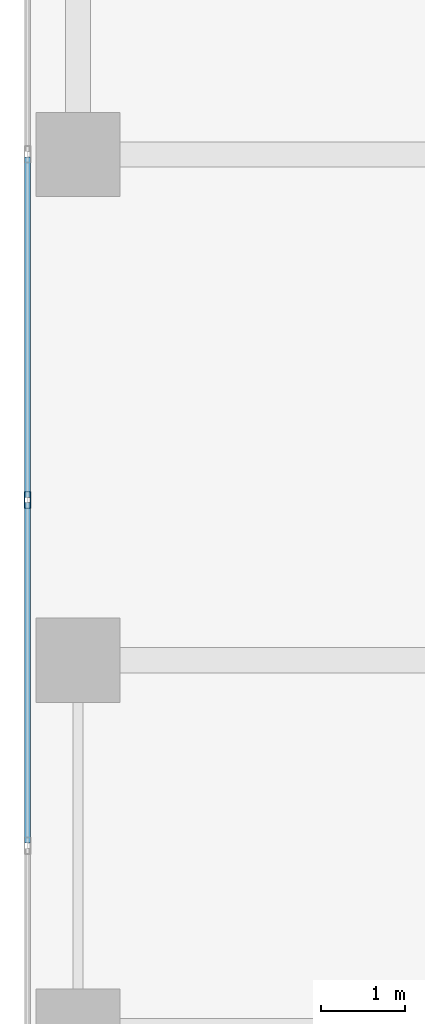
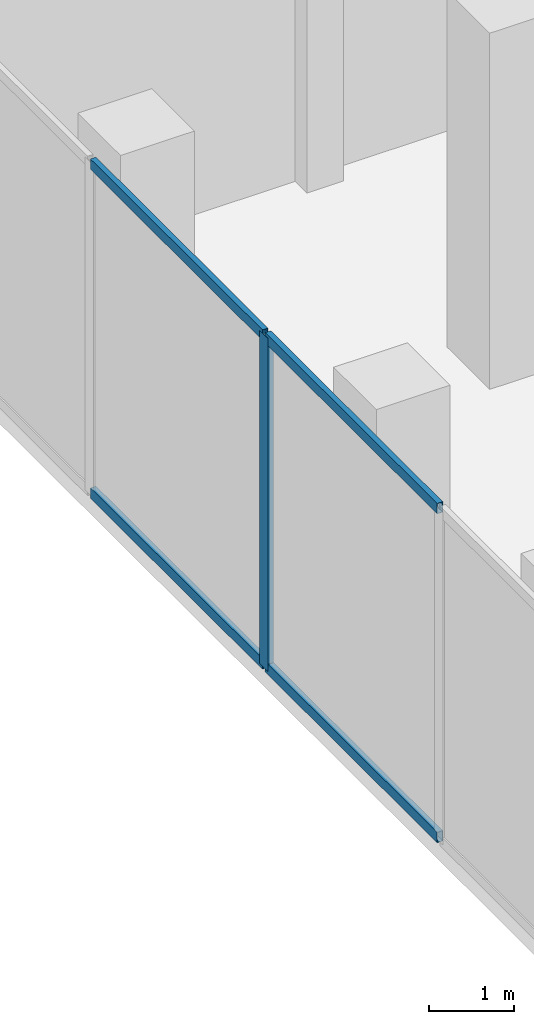
# One storey, part 6 of 24: 5 members, 1 element without a shape of its own.
"""IFC4 building model written with IfcOpenShell, lengths in metres."""

from ifc_helpers import new_model, si_unit, direction, frame, origin, origin_2d, place, context, subcontext, project, spatial, hollow_rectangle, extrude, material, layer, layer_set, material_profile, profile_set, type_object, element, aggregate, save


model = new_model("IFC4")

# Units and contexts
model_context = context("Model", 3, precision=1e-05, world=origin(), true_north=direction((0.0, 1.0)))
body_context = subcontext(model_context, "Body", "Model", "MODEL_VIEW")
ifc_project = project(units=[si_unit("LENGTHUNIT", "METRE"), si_unit("AREAUNIT", "SQUARE_METRE"), si_unit("VOLUMEUNIT", "CUBIC_METRE"), si_unit("PLANEANGLEUNIT", "RADIAN"), si_unit("MASSUNIT", "GRAM", prefix="KILO")], contexts=[model_context])

# Site, building, storey
site_placement = place(None, origin())
site = spatial("IfcSite", under=ifc_project, at=site_placement, CompositionType="ELEMENT")
building_placement = place(site_placement, origin())
building = spatial("IfcBuilding", under=site, at=building_placement, Name="Catumbela Crestline Tower", CompositionType="ELEMENT")
storey_placement = place(building_placement, frame((0.0, 0.0, 6.0)))
storey = spatial("IfcBuildingStorey", under=building, at=storey_placement, Name="L01", CompositionType="ELEMENT", Elevation=6.0)

# Curtain wall, members
ifc_material = material(Name="Aluminium alloy AW-6060-T66", Category="aluminium")
ifc_layer = layer(ifc_material, 0.18, Name="Aluminium alloy AW-6060-T66")
ifc_layer_set = layer_set([ifc_layer], Name="Aluminium alloy AW-6060-T66")
curtain_wall_type = type_object("IfcCurtainWallType", Name="CWS-POD", PredefinedType="USERDEFINED", material=ifc_layer_set)
curtain_wall_placement = place(storey_placement, origin())
curtain_wall = element("IfcCurtainWall", 1, at=curtain_wall_placement, inside=storey, type_object=curtain_wall_type, Name="L01 Stick Curtain Wall CW-L01-E9S1", ObjectType="STICK", PredefinedType="USERDEFINED")
ifc_material_profile_1 = material_profile(ifc_material, hollow_rectangle(XDim=0.075, YDim=0.2, WallThickness=0.005, at=origin_2d()), Name="ALU 200x75x5")
ifc_profile_set_1 = profile_set([ifc_material_profile_1], Name="Aluminium alloy AW-6060-T66")
member_type_1 = type_object("IfcMemberType", Name="MUL-200X75", PredefinedType="MULLION", material=ifc_profile_set_1)
member_1_placement = place(storey_placement, frame((0.0, 19.9, 0.0), z_axis=(0.0, 0.0, 1.0), x_axis=(1.0, 0.0, 0.0)))
member_1 = element("IfcMember", 2, at=member_1_placement, type_object=member_type_1, Name="CWS-POD mullion 7", PredefinedType="MULLION", context=body_context, shape_type="SweptSolid", body=[
    extrude(hollow_rectangle(XDim=0.075, YDim=0.2, WallThickness=0.005, at=origin_2d()), origin(), (0.0, 0.0, 1.0), 4.77),
])
ifc_material_profile_2 = material_profile(ifc_material, hollow_rectangle(XDim=0.075, YDim=0.15, WallThickness=0.0045, at=origin_2d()), Name="ALU 150x75x4.5")
ifc_profile_set_2 = profile_set([ifc_material_profile_2], Name="Aluminium alloy AW-6060-T66")
member_type_2 = type_object("IfcMemberType", Name="TRN-150X75", PredefinedType="USERDEFINED", material=ifc_profile_set_2)
member_2_placement = place(storey_placement, frame((0.0, 23.9675, 0.03), z_axis=(0.0, -1.0, 0.0), x_axis=(1.0, 0.0, 0.0)))
member_2 = element("IfcMember", 3, at=member_2_placement, type_object=member_type_2, Name="CWS-POD transom 6.1", ObjectType="TRANSOM", PredefinedType="USERDEFINED", context=body_context, shape_type="SweptSolid", body=[
    extrude(hollow_rectangle(XDim=0.075, YDim=0.15, WallThickness=0.0045, at=origin_2d()), origin(), (0.0, 0.0, 1.0), 4.035),
])
member_3_placement = place(storey_placement, frame((0.0, 23.9675, 4.74), z_axis=(0.0, -1.0, 0.0), x_axis=(1.0, 0.0, 0.0)))
member_3 = element("IfcMember", 4, at=member_3_placement, type_object=member_type_2, Name="CWS-POD transom 6.2", ObjectType="TRANSOM", PredefinedType="USERDEFINED", context=body_context, shape_type="SweptSolid", body=[
    extrude(hollow_rectangle(XDim=0.075, YDim=0.15, WallThickness=0.0045, at=origin_2d()), origin(), (0.0, 0.0, 1.0), 4.035),
])
member_4_placement = place(storey_placement, frame((0.0, 19.8675, 0.03), z_axis=(0.0, -1.0, 0.0), x_axis=(1.0, 0.0, 0.0)))
member_4 = element("IfcMember", 5, at=member_4_placement, type_object=member_type_2, Name="CWS-POD transom 7.1", ObjectType="TRANSOM", PredefinedType="USERDEFINED", context=body_context, shape_type="SweptSolid", body=[
    extrude(hollow_rectangle(XDim=0.075, YDim=0.15, WallThickness=0.0045, at=origin_2d()), origin(), (0.0, 0.0, 1.0), 4.035),
])
member_5_placement = place(storey_placement, frame((0.0, 19.8675, 4.74), z_axis=(0.0, -1.0, 0.0), x_axis=(1.0, 0.0, 0.0)))
member_5 = element("IfcMember", 6, at=member_5_placement, type_object=member_type_2, Name="CWS-POD transom 7.2", ObjectType="TRANSOM", PredefinedType="USERDEFINED", context=body_context, shape_type="SweptSolid", body=[
    extrude(hollow_rectangle(XDim=0.075, YDim=0.15, WallThickness=0.0045, at=origin_2d()), origin(), (0.0, 0.0, 1.0), 4.035),
])
aggregate(curtain_wall, [member_1, member_2, member_3, member_4, member_5])

save(model, "model.ifc")
